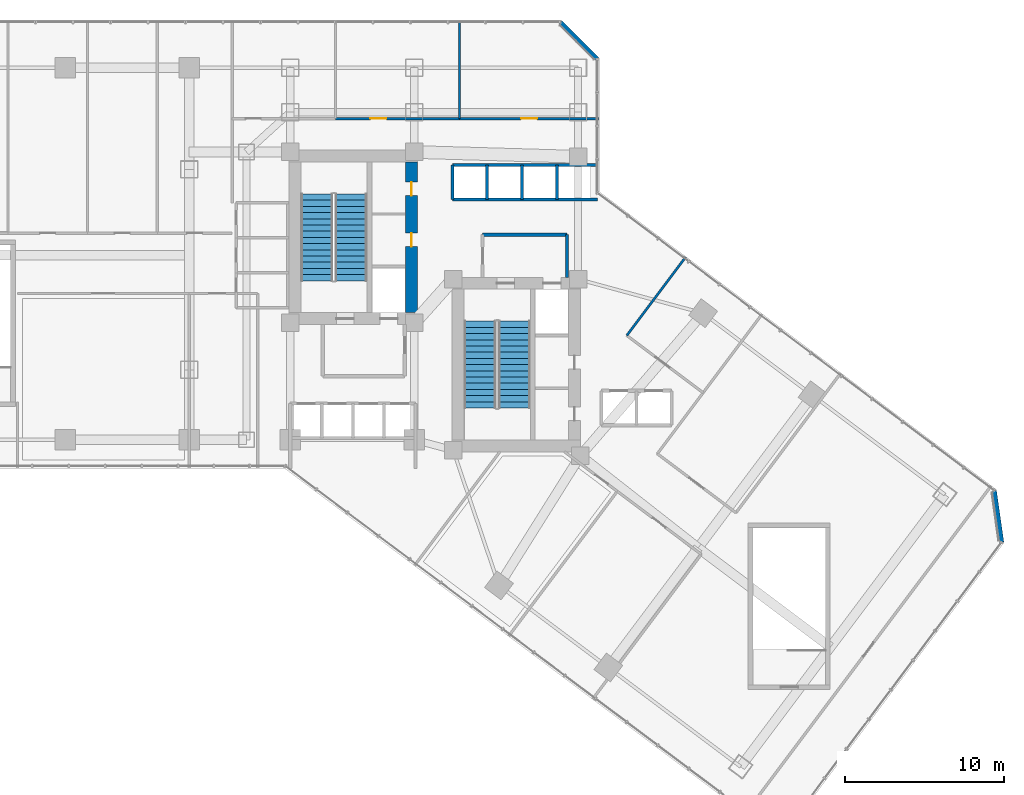
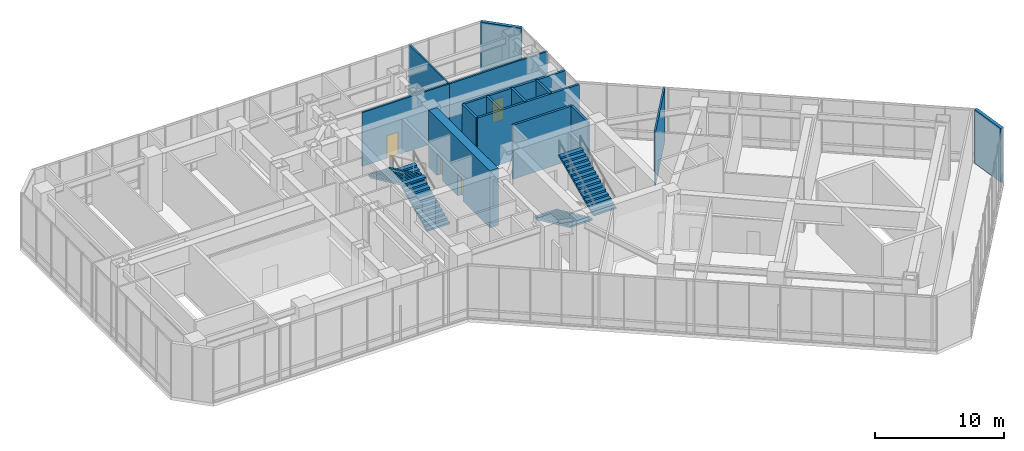
# One storey, part 35 of 38: 15 walls, 4 doors, 4 stair flights, 4 openings, 2 elements without a shape of their own.
"""IFC4 building model written with IfcOpenShell, lengths in metres."""

from ifc_helpers import new_model, si_unit, direction, frame, frame_2d, origin, place, context, subcontext, project, spatial, polyline, rectangle, outline, extrude, material, layer, layer_set, type_object, element, fill, aggregate, save


model = new_model("IFC4")

# Units and contexts
model_context = context("Model", 3, precision=1e-05, world=origin(), true_north=direction((0.0, 1.0)))
body_context = subcontext(model_context, "Body", "Model", "MODEL_VIEW")
ifc_project = project(units=[si_unit("LENGTHUNIT", "METRE"), si_unit("AREAUNIT", "SQUARE_METRE"), si_unit("VOLUMEUNIT", "CUBIC_METRE"), si_unit("PLANEANGLEUNIT", "RADIAN"), si_unit("MASSUNIT", "GRAM", prefix="KILO")], contexts=[model_context])

# Site, building, storey
site_placement = place(None, origin())
site = spatial("IfcSite", under=ifc_project, at=site_placement, CompositionType="ELEMENT")
building_placement = place(site_placement, origin())
building = spatial("IfcBuilding", under=site, at=building_placement, Name="Hatsunagi Terrace Concourse", CompositionType="ELEMENT")
storey_placement = place(building_placement, frame((0.0, 0.0, 21.60009765625)))
storey = spatial("IfcBuildingStorey", under=building, at=storey_placement, Name="L05", CompositionType="ELEMENT", Elevation=21.60009765625)

# Wall, openings, doors
ifc_material_1 = material(Name="Concrete Fc60", Category="concrete")
ifc_layer_1 = layer(ifc_material_1, 0.75)
ifc_layer_set_1 = layer_set([ifc_layer_1], Name="CoreShearWall_Fc60_750")
wall_type_1 = type_object("IfcWallType", Name="CoreShearWall_Fc60_750", PredefinedType="SHEAR", material=ifc_layer_set_1)
wall_1_placement = place(storey_placement, frame((33.175048828125, 33.18994140625, 0.0), z_axis=(0.0, 0.0, 1.0), x_axis=(0.0, 1.0, 0.0)))
wall_1 = element("IfcWall", 1, at=wall_1_placement, inside=storey, type_object=wall_type_1, Name="Core A Shear Wall E L05", PredefinedType="SHEAR", context=body_context, shape_type="SweptSolid", body=[
    extrude(rectangle(XDim=9.47998046875, YDim=0.75, at=frame_2d((4.739990234375, 0.0))), origin(), (0.0, 0.0, 1.0), 5.39990234375),
])
opening_1_placement = place(wall_1_placement, frame((4.159912109375, 0.0, 0.0)))
opening_1 = element("IfcOpeningElement", 2, at=opening_1_placement, cuts=wall_1, Name="Opening DR-085", PredefinedType="OPENING", context=body_context, shape_type="SweptSolid", body=[
    extrude(rectangle(XDim=0.85009765625, YDim=2.080078125, at=frame_2d((0.425048828125, 1.0400390625))), frame((0.0, 0.385009765625, 0.0), z_axis=(0.0, -1.0, 0.0), x_axis=(1.0, 0.0, 0.0)), (0.0, 0.0, 1.0), 0.77001953125),
])
opening_2_placement = place(wall_1_placement, frame((7.360107421875, 0.0, 0.0)))
opening_2 = element("IfcOpeningElement", 3, at=opening_2_placement, cuts=wall_1, Name="Opening DR-085", PredefinedType="OPENING", context=body_context, shape_type="SweptSolid", body=[
    extrude(rectangle(XDim=0.85009765625, YDim=2.080078125, at=frame_2d((0.425048828125, 1.0400390625))), frame((0.0, 0.385009765625, 0.0), z_axis=(0.0, -1.0, 0.0), x_axis=(1.0, 0.0, 0.0)), (0.0, 0.0, 1.0), 0.77001953125),
])
ifc_material_2 = material(Name="Painted steel", Category="steel")
door_type_1 = type_object("IfcDoorType", Name="RiserAccessDoor_EI60_850", OperationType="NOTDEFINED", PredefinedType="DOOR", material=ifc_material_2)
door_1_placement = place(opening_1_placement, origin())
door_1 = element("IfcDoor", 4, at=door_1_placement, inside=storey, type_object=door_type_1, Name="Core A Riser Door L05-1", OperationType="SINGLE_SWING_LEFT", OverallHeight=2.080078125, OverallWidth=0.85009765625, PredefinedType="DOOR", context=body_context, shape_type="SweptSolid", body=[
    extrude(rectangle(XDim=0.85009765625, YDim=2.080078125, at=frame_2d((0.425048828125, 1.0400390625))), frame((0.0, 0.02490234375, 0.0), z_axis=(0.0, -1.0, 0.0), x_axis=(1.0, 0.0, 0.0)), (0.0, 0.0, 1.0), 0.050048828125),
])
fill(opening_1, door_1)
door_2_placement = place(opening_2_placement, origin())
door_2 = element("IfcDoor", 5, at=door_2_placement, inside=storey, type_object=door_type_1, Name="Core A Riser Door L05-2", OperationType="SINGLE_SWING_LEFT", OverallHeight=2.080078125, OverallWidth=0.85009765625, PredefinedType="DOOR", context=body_context, shape_type="SweptSolid", body=[
    extrude(rectangle(XDim=0.85009765625, YDim=2.080078125, at=frame_2d((0.425048828125, 1.0400390625))), frame((0.0, 0.02490234375, 0.0), z_axis=(0.0, -1.0, 0.0), x_axis=(1.0, 0.0, 0.0)), (0.0, 0.0, 1.0), 0.050048828125),
])
fill(opening_2, door_2)

# Wall, opening, door
ifc_material_3 = material(Name="Acoustic mineral board", Category="gypsum")
ifc_layer_2 = layer(ifc_material_3, 0.14990234375)
ifc_layer_set_2 = layer_set([ifc_layer_2], Name="PartitionWall_EI60_150")
wall_type_2 = type_object("IfcWallType", Name="PartitionWall_EI60_150", PredefinedType="PARTITIONING", material=ifc_layer_set_2)
wall_2_placement = place(storey_placement, frame((28.39990234375, 45.39990234375, 0.0), z_axis=(0.0, 0.0, 1.0), x_axis=(1.0, 0.0, 0.0)))
wall_2 = element("IfcWall", 6, at=wall_2_placement, inside=storey, type_object=wall_type_2, Name="Interior Partition IW-L05-049", PredefinedType="PARTITIONING", context=body_context, shape_type="SweptSolid", body=[
    extrude(rectangle(XDim=7.800048828125, YDim=0.14990234375, at=frame_2d((3.89990234375, 0.0))), origin(), (0.0, 0.0, 1.0), 5.099853515625),
])
opening_3_placement = place(wall_2_placement, frame((2.19189453125, 0.0, 0.0)))
opening_3 = element("IfcOpeningElement", 7, at=opening_3_placement, cuts=wall_2, Name="Opening DR-100S", PredefinedType="OPENING", context=body_context, shape_type="SweptSolid", body=[
    extrude(rectangle(XDim=1.0, YDim=2.14990234375, at=frame_2d((0.5, 1.074951171875))), frame((0.0, 0.0849609375, 0.0), z_axis=(0.0, -1.0, 0.0), x_axis=(1.0, 0.0, 0.0)), (0.0, 0.0, 1.0), 0.169921875),
])
ifc_material_4 = material(Name="Hardwood timber", Category="wood")
door_type_2 = type_object("IfcDoorType", Name="SuiteDoor_EI30_1000", OperationType="NOTDEFINED", PredefinedType="DOOR", material=ifc_material_4)
door_3_placement = place(opening_3_placement, origin())
door_3 = element("IfcDoor", 8, at=door_3_placement, inside=storey, type_object=door_type_2, Name="Boardroom L05-P5NB7 Door", OperationType="SINGLE_SWING_RIGHT", OverallHeight=2.14990234375, OverallWidth=1.0, PredefinedType="DOOR", context=body_context, shape_type="SweptSolid", body=[
    extrude(rectangle(XDim=1.0, YDim=2.14990234375, at=frame_2d((0.5, 1.074951171875))), frame((0.0, 0.02490234375, 0.0), z_axis=(0.0, -1.0, 0.0), x_axis=(1.0, 0.0, 0.0)), (0.0, 0.0, 1.0), 0.050048828125),
])
fill(opening_3, door_3)

# Wall
wall_3_placement = place(storey_placement, frame((36.199951171875, 45.39990234375, 0.0), z_axis=(0.0, 0.0, 1.0), x_axis=(0.0, 1.0, 0.0)))
element("IfcWall", 9, at=wall_3_placement, inside=storey, type_object=wall_type_2, Name="Interior Partition IW-L05-050", PredefinedType="PARTITIONING", context=body_context, shape_type="SweptSolid", body=[
    extrude(rectangle(XDim=6.16015625, YDim=0.14990234375, at=frame_2d((3.080078125, 0.0))), origin(), (0.0, 0.0, 1.0), 5.099853515625),
])

# Wall, opening, door
wall_4_placement = place(storey_placement, frame((36.199951171875, 45.39990234375, 0.0), z_axis=(0.0, 0.0, 1.0), x_axis=(1.0, 0.0, 0.0)))
wall_4 = element("IfcWall", 10, at=wall_4_placement, inside=storey, type_object=wall_type_2, Name="Interior Partition IW-L05-051", PredefinedType="PARTITIONING", context=body_context, shape_type="SweptSolid", body=[
    extrude(rectangle(XDim=8.760009765625, YDim=0.14990234375, at=frame_2d((4.3798828125, 0.0))), origin(), (0.0, 0.0, 1.0), 5.099853515625),
])
opening_4_placement = place(wall_4_placement, frame((3.8798828125, 0.0, 0.0)))
opening_4 = element("IfcOpeningElement", 11, at=opening_4_placement, cuts=wall_4, Name="Opening DR-100S", PredefinedType="OPENING", context=body_context, shape_type="SweptSolid", body=[
    extrude(rectangle(XDim=1.0, YDim=2.14990234375, at=frame_2d((0.5, 1.074951171875))), frame((0.0, 0.0849609375, 0.0), z_axis=(0.0, -1.0, 0.0), x_axis=(1.0, 0.0, 0.0)), (0.0, 0.0, 1.0), 0.169921875),
])
door_4_placement = place(opening_4_placement, origin())
door_4 = element("IfcDoor", 12, at=door_4_placement, inside=storey, type_object=door_type_2, Name="Seminar Room L05-P5NB8 Door", OperationType="SINGLE_SWING_RIGHT", OverallHeight=2.14990234375, OverallWidth=1.0, PredefinedType="DOOR", context=body_context, shape_type="SweptSolid", body=[
    extrude(rectangle(XDim=1.0, YDim=2.14990234375, at=frame_2d((0.5, 1.074951171875))), frame((0.0, 0.02490234375, 0.0), z_axis=(0.0, -1.0, 0.0), x_axis=(1.0, 0.0, 0.0)), (0.0, 0.0, 1.0), 0.050048828125),
])
fill(opening_4, door_4)

# Walls
wall_5_placement = place(storey_placement, frame((46.719970703125, 31.760009765625, 0.0), z_axis=(0.0, 0.0, 1.0), x_axis=(0.600006341286, 0.799995243996, 0.0)))
element("IfcWall", 13, at=wall_5_placement, inside=storey, type_object=wall_type_2, Name="Interior Partition IW-L05-066", PredefinedType="PARTITIONING", context=body_context, shape_type="SweptSolid", body=[
    extrude(rectangle(XDim=6.159912109375, YDim=0.14990234375, at=frame_2d((3.080078125, 0.0))), origin(), (0.0, 0.0, 1.0), 5.099853515625),
])
ifc_material_5 = material(Name="Acoustic mineral board", Category="gypsum")
ifc_layer_3 = layer(ifc_material_5, 0.199951171875)
ifc_layer_set_3 = layer_set([ifc_layer_3], Name="ShaftWall_EI120_200")
wall_type_3 = type_object("IfcWallType", Name="ShaftWall_EI120_200", PredefinedType="STANDARD", material=ifc_layer_set_3)
wall_6_placement = place(storey_placement, frame((37.64990234375, 38.10009765625, 0.0), z_axis=(0.0, 0.0, 1.0), x_axis=(1.0, 0.0, 0.0)))
element("IfcWall", 14, at=wall_6_placement, inside=storey, type_object=wall_type_3, Name="Interior Partition IW-L05-008", PredefinedType="STANDARD", context=body_context, shape_type="SweptSolid", body=[
    extrude(rectangle(XDim=5.300048828125, YDim=0.199951171875, at=frame_2d((2.64990234375, 0.0))), origin(), (0.0, 0.0, 1.0), 5.099853515625),
])
wall_7_placement = place(storey_placement, frame((42.949951171875, 35.419921875, 0.0), z_axis=(0.0, 0.0, 1.0), x_axis=(0.0, 1.0, 0.0)))
element("IfcWall", 15, at=wall_7_placement, inside=storey, type_object=wall_type_3, Name="Interior Partition IW-L05-009", PredefinedType="STANDARD", context=body_context, shape_type="SweptSolid", body=[
    extrude(rectangle(XDim=2.68017578125, YDim=0.199951171875, at=frame_2d((1.340087890625, 0.0))), origin(), (0.0, 0.0, 1.0), 5.099853515625),
])
wall_8_placement = place(storey_placement, frame((35.75, 42.47998046875, 0.0), z_axis=(0.0, 0.0, 1.0), x_axis=(1.0, 0.0, 0.0)))
element("IfcWall", 16, at=wall_8_placement, inside=storey, type_object=wall_type_3, Name="Interior Partition IW-L05-018", PredefinedType="STANDARD", context=body_context, shape_type="SweptSolid", body=[
    extrude(rectangle(XDim=9.110107421875, YDim=0.199951171875, at=frame_2d((4.55517578125, 0.0))), origin(), (0.0, 0.0, 1.0), 5.099853515625),
])
for number, where, z_axis, x_axis, name in (
    (17, (35.75, 40.320068359375, 0.0), (0.0, 0.0, 1.0), (0.0, 1.0, 0.0), "Interior Partition IW-L05-019"),
    (18, (37.919921875, 40.320068359375, 0.0), (0.0, 0.0, 1.0), (0.0, 1.0, 0.0), "Interior Partition IW-L05-020"),
    (19, (40.1201171875, 40.320068359375, 0.0), (0.0, 0.0, 1.0), (0.0, 1.0, 0.0), "Interior Partition IW-L05-021"),
    (20, (42.320068359375, 40.320068359375, 0.0), (0.0, 0.0, 1.0), (0.0, 1.0, 0.0), "Interior Partition IW-L05-022"),
):
    element("IfcWall", number, at=place(storey_placement, frame(where, z_axis=z_axis, x_axis=x_axis)), inside=storey, type_object=wall_type_3, Name=name, PredefinedType="STANDARD", context=body_context, shape_type="SweptSolid", body=[
        extrude(rectangle(XDim=2.159912109375, YDim=0.199951171875, at=frame_2d((1.080078125, 0.0))), origin(), (0.0, 0.0, 1.0), 5.099853515625),
    ])
wall_9_placement = place(storey_placement, frame((35.75, 40.320068359375, 0.0), z_axis=(0.0, 0.0, 1.0), x_axis=(1.0, 0.0, 0.0)))
element("IfcWall", 21, at=wall_9_placement, inside=storey, type_object=wall_type_3, Name="Interior Partition IW-L05-023", PredefinedType="STANDARD", context=body_context, shape_type="SweptSolid", body=[
    extrude(rectangle(XDim=9.110107421875, YDim=0.199951171875, at=frame_2d((4.55517578125, 0.0))), origin(), (0.0, 0.0, 1.0), 5.099853515625),
])
ifc_material_6 = material(Name="Autoclaved Lightweight Concrete and Terracotta Cladding", Category="masonry")
ifc_layer_4 = layer(ifc_material_6, 0.280029296875)
ifc_layer_set_4 = layer_set([ifc_layer_4], Name="TerracottaSpandrelWall_280")
wall_type_4 = type_object("IfcWallType", Name="TerracottaSpandrelWall_280", PredefinedType="STANDARD", material=ifc_layer_set_4)
wall_10_placement = place(storey_placement, frame((69.830078125, 22.0029296875, 0.0), z_axis=(0.0, 0.0, 1.0), x_axis=(0.141223223777, -0.989977778067, 0.0)))
element("IfcWall", 22, at=wall_10_placement, inside=storey, type_object=wall_type_4, Name="Exterior Spandrel Wall EW-L05-02", PredefinedType="STANDARD", context=body_context, shape_type="SweptSolid", body=[
    extrude(rectangle(XDim=3.27783203125, YDim=0.280029296875, at=frame_2d((1.638916015625, 0.0))), origin(), (0.0, 0.0, 1.0), 5.099853515625),
])
wall_11_placement = place(storey_placement, frame((42.5419921875, 51.4599609375, 0.0), z_axis=(0.0, 0.0, 1.0), x_axis=(0.707144017911, -0.707069542501, 0.0)))
element("IfcWall", 23, at=wall_11_placement, inside=storey, type_object=wall_type_4, Name="Exterior Spandrel Wall EW-L05-12", PredefinedType="STANDARD", context=body_context, shape_type="SweptSolid", body=[
    extrude(rectangle(XDim=3.278076171875, YDim=0.280029296875, at=frame_2d((1.63916015625, 0.0))), origin(), (0.0, 0.0, 1.0), 5.099853515625),
])

# Stair, stair flights
ifc_material_7 = material(Name="Concrete Fc42", Category="concrete")
stair_type = type_object("IfcStairType", Name="DoglegExitStair_Tower2000_30R_180", PredefinedType="HALF_TURN_STAIR", material=ifc_material_7)
stair_1_placement = place(storey_placement, origin())
stair_1 = element("IfcStair", 24, at=stair_1_placement, inside=storey, type_object=stair_type, Name="L05 Core A Protected Exit Stair ST-A", PredefinedType="HALF_TURN_STAIR")
ifc_material_8 = material(Name="Concrete Fc42", Category="concrete")
stair_flight_type = type_object("IfcStairFlightType", Name="DoglegStairFlight_Tower2000_30R_180", PredefinedType="STRAIGHT", material=ifc_material_8)
stair_flight_1_placement = place(storey_placement, frame((29.3798828125, 35.199951171875, 0.0), z_axis=(0.0, 0.0, 1.0), x_axis=(0.0, 1.0, 0.0)))
stair_flight_1 = element("IfcStairFlight", 25, at=stair_flight_1_placement, type_object=stair_flight_type, Name="ST-A flight 1", NumberOfRisers=15, NumberOfTreads=14, PredefinedType="STRAIGHT", RiserHeight=0.18, TreadLength=0.39, context=body_context, shape_type="SweptSolid", body=[
    extrude(outline(polyline([(0.0, 0.0), (0.0, 0.179931640625), (0.389892578125, 0.179931640625), (0.389892578125, 0.360107421875), (0.780029296875, 0.360107421875), (0.780029296875, 0.5400390625), (1.169921875, 0.5400390625), (1.169921875, 0.719970703125), (1.56005859375, 0.719970703125), (1.56005859375, 0.89990234375), (1.949951171875, 0.89990234375), (1.949951171875, 1.080078125), (2.340087890625, 1.080078125), (2.340087890625, 1.260009765625), (2.72998046875, 1.260009765625), (2.72998046875, 1.43994140625), (3.1201171875, 1.43994140625), (3.1201171875, 1.6201171875), (3.510009765625, 1.6201171875), (3.510009765625, 1.800048828125), (3.89990234375, 1.800048828125), (3.89990234375, 1.97998046875), (4.2900390625, 1.97998046875), (4.2900390625, 2.159912109375), (4.679931640625, 2.159912109375), (4.679931640625, 2.340087890625), (5.070068359375, 2.340087890625), (5.070068359375, 2.52001953125), (5.4599609375, 2.52001953125), (5.4599609375, 2.699951171875), (5.4599609375, 2.35498046875), (0.357666015625, 0.0), (0.0, 0.0)])), frame((0.0, 1.0, 0.0), z_axis=(0.0, -1.0, 0.0), x_axis=(1.0, 0.0, 0.0)), (0.0, 0.0, 1.0), 2.0),
])
stair_flight_2_placement = place(storey_placement, frame((27.22998046875, 40.659912109375, 2.699951171875), z_axis=(0.0, 0.0, 1.0), x_axis=(0.0, -1.0, 0.0)))
stair_flight_2 = element("IfcStairFlight", 26, at=stair_flight_2_placement, type_object=stair_flight_type, Name="ST-A flight 2", NumberOfRisers=15, NumberOfTreads=14, PredefinedType="STRAIGHT", RiserHeight=0.18, TreadLength=0.39, context=body_context, shape_type="SweptSolid", body=[
    extrude(outline(polyline([(0.0, 0.0), (0.0, 0.179931640625), (0.389892578125, 0.179931640625), (0.389892578125, 0.360107421875), (0.780029296875, 0.360107421875), (0.780029296875, 0.5400390625), (1.169921875, 0.5400390625), (1.169921875, 0.719970703125), (1.56005859375, 0.719970703125), (1.56005859375, 0.89990234375), (1.949951171875, 0.89990234375), (1.949951171875, 1.080078125), (2.340087890625, 1.080078125), (2.340087890625, 1.260009765625), (2.72998046875, 1.260009765625), (2.72998046875, 1.43994140625), (3.1201171875, 1.43994140625), (3.1201171875, 1.6201171875), (3.510009765625, 1.6201171875), (3.510009765625, 1.800048828125), (3.89990234375, 1.800048828125), (3.89990234375, 1.97998046875), (4.2900390625, 1.97998046875), (4.2900390625, 2.159912109375), (4.679931640625, 2.159912109375), (4.679931640625, 2.340087890625), (5.070068359375, 2.340087890625), (5.070068359375, 2.52001953125), (5.4599609375, 2.52001953125), (5.4599609375, 2.699951171875), (5.4599609375, 2.35498046875), (0.357666015625, 0.0), (0.0, 0.0)])), frame((0.0, 1.0, 0.0), z_axis=(0.0, -1.0, 0.0), x_axis=(1.0, 0.0, 0.0)), (0.0, 0.0, 1.0), 2.0),
])
aggregate(stair_1, [stair_flight_1, stair_flight_2])

stair_2_placement = place(storey_placement, origin())
stair_2 = element("IfcStair", 27, at=stair_2_placement, inside=storey, type_object=stair_type, Name="L05 Core B Protected Exit Stair ST-B", PredefinedType="HALF_TURN_STAIR")
stair_flight_3_placement = place(storey_placement, frame((37.5, 32.659912109375, 0.0), z_axis=(0.0, 0.0, 1.0), x_axis=(0.0, -1.0, 0.0)))
stair_flight_3 = element("IfcStairFlight", 28, at=stair_flight_3_placement, type_object=stair_flight_type, Name="ST-B flight 1", NumberOfRisers=15, NumberOfTreads=14, PredefinedType="STRAIGHT", RiserHeight=0.18, TreadLength=0.39, context=body_context, shape_type="SweptSolid", body=[
    extrude(outline(polyline([(0.0, 0.0), (0.0, 0.179931640625), (0.389892578125, 0.179931640625), (0.389892578125, 0.360107421875), (0.780029296875, 0.360107421875), (0.780029296875, 0.5400390625), (1.169921875, 0.5400390625), (1.169921875, 0.719970703125), (1.56005859375, 0.719970703125), (1.56005859375, 0.89990234375), (1.949951171875, 0.89990234375), (1.949951171875, 1.080078125), (2.340087890625, 1.080078125), (2.340087890625, 1.260009765625), (2.72998046875, 1.260009765625), (2.72998046875, 1.43994140625), (3.1201171875, 1.43994140625), (3.1201171875, 1.6201171875), (3.510009765625, 1.6201171875), (3.510009765625, 1.800048828125), (3.89990234375, 1.800048828125), (3.89990234375, 1.97998046875), (4.2900390625, 1.97998046875), (4.2900390625, 2.159912109375), (4.679931640625, 2.159912109375), (4.679931640625, 2.340087890625), (5.070068359375, 2.340087890625), (5.070068359375, 2.52001953125), (5.4599609375, 2.52001953125), (5.4599609375, 2.699951171875), (5.4599609375, 2.35498046875), (0.357666015625, 0.0), (0.0, 0.0)])), frame((0.0, 1.0, 0.0), z_axis=(0.0, -1.0, 0.0), x_axis=(1.0, 0.0, 0.0)), (0.0, 0.0, 1.0), 2.0),
])
stair_flight_4_placement = place(storey_placement, frame((39.64990234375, 27.199951171875, 2.699951171875), z_axis=(0.0, 0.0, 1.0), x_axis=(0.0, 1.0, 0.0)))
stair_flight_4 = element("IfcStairFlight", 29, at=stair_flight_4_placement, type_object=stair_flight_type, Name="ST-B flight 2", NumberOfRisers=15, NumberOfTreads=14, PredefinedType="STRAIGHT", RiserHeight=0.18, TreadLength=0.39, context=body_context, shape_type="SweptSolid", body=[
    extrude(outline(polyline([(0.0, 0.0), (0.0, 0.179931640625), (0.389892578125, 0.179931640625), (0.389892578125, 0.360107421875), (0.780029296875, 0.360107421875), (0.780029296875, 0.5400390625), (1.169921875, 0.5400390625), (1.169921875, 0.719970703125), (1.56005859375, 0.719970703125), (1.56005859375, 0.89990234375), (1.949951171875, 0.89990234375), (1.949951171875, 1.080078125), (2.340087890625, 1.080078125), (2.340087890625, 1.260009765625), (2.72998046875, 1.260009765625), (2.72998046875, 1.43994140625), (3.1201171875, 1.43994140625), (3.1201171875, 1.6201171875), (3.510009765625, 1.6201171875), (3.510009765625, 1.800048828125), (3.89990234375, 1.800048828125), (3.89990234375, 1.97998046875), (4.2900390625, 1.97998046875), (4.2900390625, 2.159912109375), (4.679931640625, 2.159912109375), (4.679931640625, 2.340087890625), (5.070068359375, 2.340087890625), (5.070068359375, 2.52001953125), (5.4599609375, 2.52001953125), (5.4599609375, 2.699951171875), (5.4599609375, 2.35498046875), (0.357666015625, 0.0), (0.0, 0.0)])), frame((0.0, 1.0, 0.0), z_axis=(0.0, -1.0, 0.0), x_axis=(1.0, 0.0, 0.0)), (0.0, 0.0, 1.0), 2.0),
])
aggregate(stair_2, [stair_flight_3, stair_flight_4])

save(model, "model.ifc")
